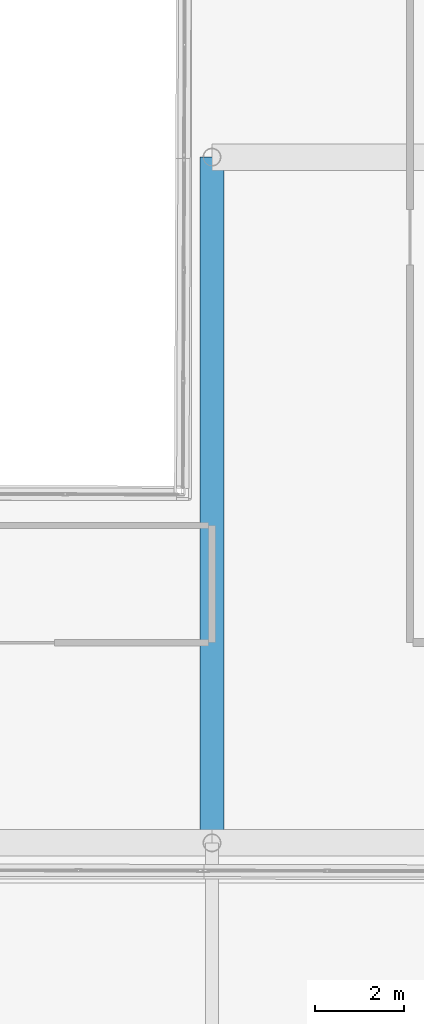
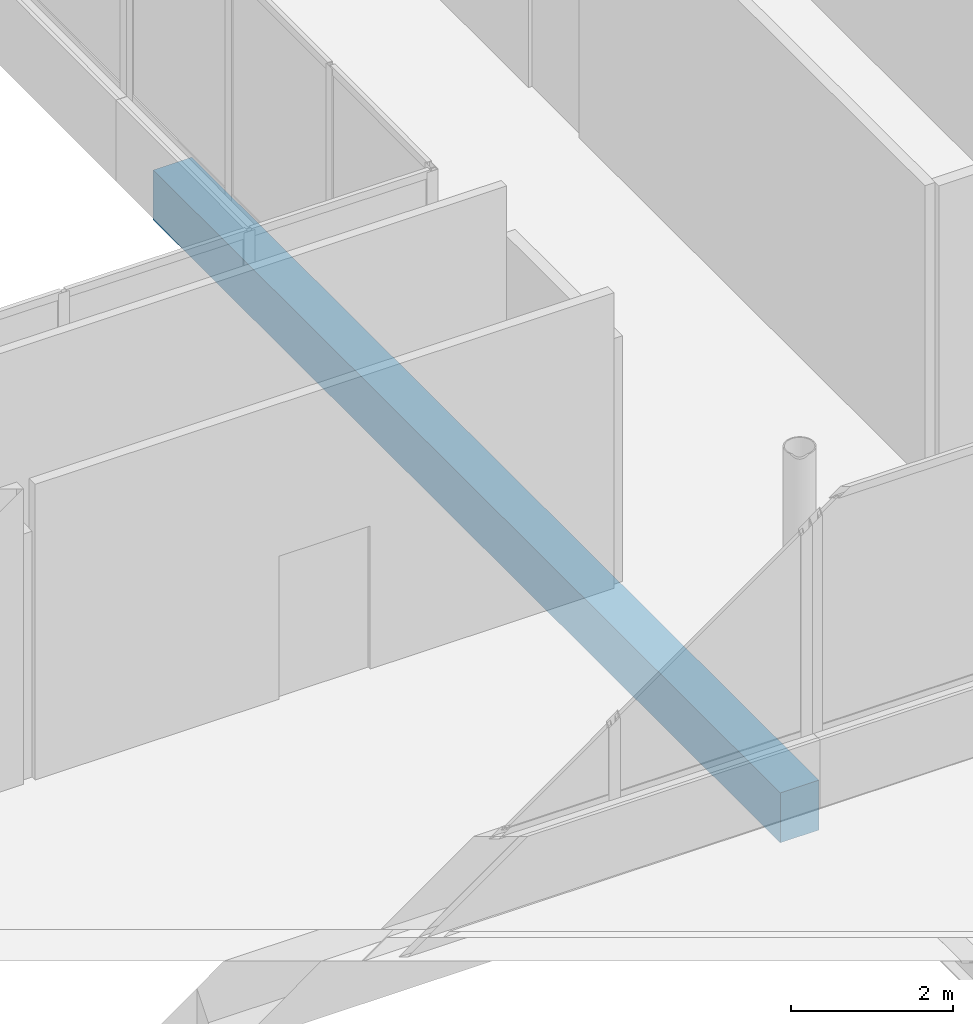
# One storey, part 43 of 168: 1 beam.
"""IFC4 building model written with IfcOpenShell, lengths in metres."""

from ifc_helpers import new_model, si_unit, direction, frame, origin, origin_2d, place, context, subcontext, project, spatial, rectangle, extrude, material, material_profile, profile_set, type_object, element, save


model = new_model("IFC4")

# Units and contexts
model_context = context("Model", 3, precision=1e-05, world=origin(), true_north=direction((0.0, 1.0)))
body_context = subcontext(model_context, "Body", "Model", "MODEL_VIEW")
ifc_project = project(units=[si_unit("LENGTHUNIT", "METRE"), si_unit("AREAUNIT", "SQUARE_METRE"), si_unit("VOLUMEUNIT", "CUBIC_METRE"), si_unit("PLANEANGLEUNIT", "RADIAN"), si_unit("MASSUNIT", "GRAM", prefix="KILO")], contexts=[model_context])

# Site, building, storey
site_placement = place(None, origin())
site = spatial("IfcSite", under=ifc_project, at=site_placement, CompositionType="ELEMENT")
building_placement = place(site_placement, origin())
building = spatial("IfcBuilding", under=site, at=building_placement, Name="Selatvlak General Hospital", CompositionType="ELEMENT")
storey_placement = place(building_placement, frame((0.0, 0.0, 5.39990234375)))
storey = spatial("IfcBuildingStorey", under=building, at=storey_placement, Name="L01", CompositionType="ELEMENT", Elevation=5.39990234375)

# Beam
ifc_material = material(Name="Concrete C40/50", Category="concrete")
ifc_material_profile = material_profile(ifc_material, rectangle(XDim=0.550048828125, YDim=0.75, at=origin_2d()), Name="RC-BM 550x750")
ifc_profile_set = profile_set([ifc_material_profile], Name="Concrete C40/50")
beam_type = type_object("IfcBeamType", Name="BM-G02", PredefinedType="BEAM", material=ifc_profile_set)
beam_placement = place(storey_placement, frame((64.800048828125, 52.550048828125, -0.69482421875), z_axis=(0.0, 1.0, 0.0), x_axis=(-1.0, 0.0, 0.0)))
element("IfcBeam", 1, at=beam_placement, inside=storey, type_object=beam_type, Name="Beam BMR-L01-0579", PredefinedType="BEAM", context=body_context, shape_type="SweptSolid", body=[
    extrude(rectangle(XDim=0.550048828125, YDim=0.75, at=origin_2d()), origin(), (0.0, 0.0, 1.0), 15.449951171875),
])

save(model, "model.ifc")
